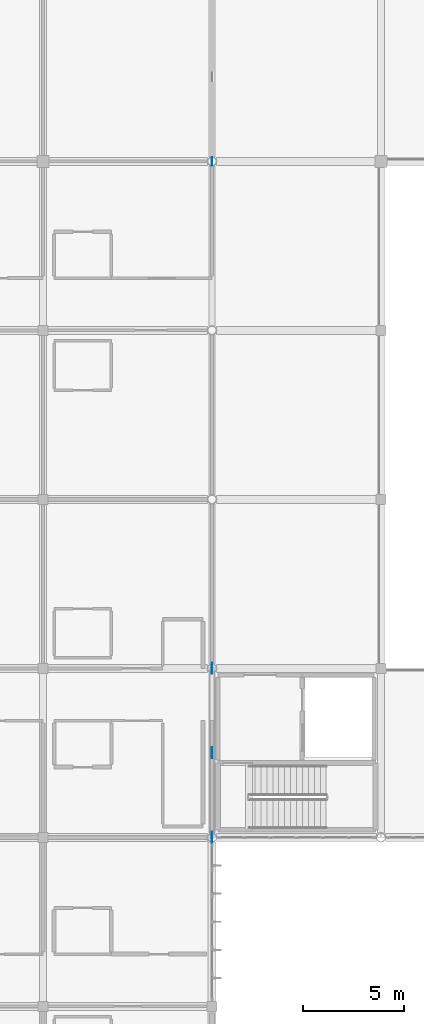
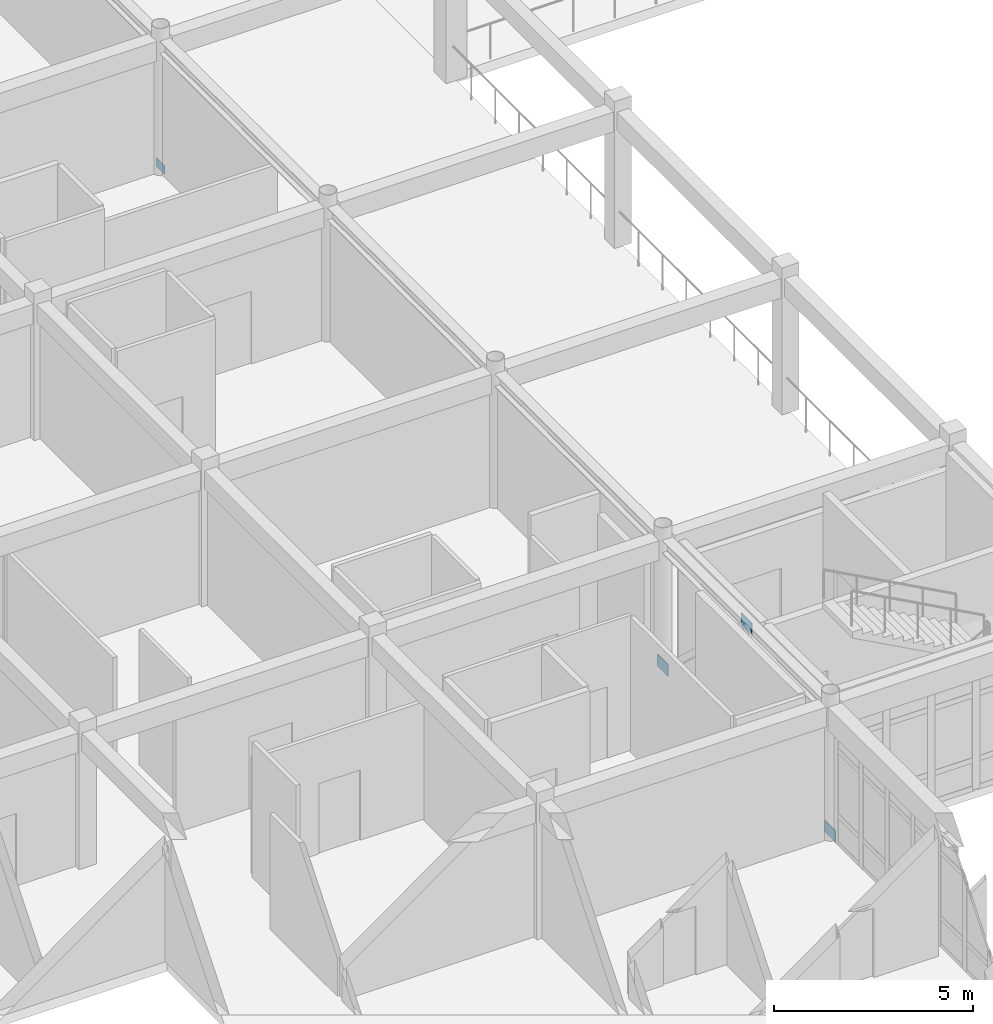
# One storey, part 91 of 144: 4 plates.
"""IFC4 building model written with IfcOpenShell, lengths in metres."""

from ifc_helpers import new_model, si_unit, direction, frame, origin, origin_2d, place, context, subcontext, project, spatial, rectangle, extrude, material, layer, layer_set, type_object, element, save


model = new_model("IFC4")

# Units and contexts
model_context = context("Model", 3, precision=1e-05, world=origin(), true_north=direction((0.0, 1.0)))
body_context = subcontext(model_context, "Body", "Model", "MODEL_VIEW")
ifc_project = project(units=[si_unit("LENGTHUNIT", "METRE"), si_unit("AREAUNIT", "SQUARE_METRE"), si_unit("VOLUMEUNIT", "CUBIC_METRE"), si_unit("PLANEANGLEUNIT", "RADIAN"), si_unit("MASSUNIT", "GRAM", prefix="KILO")], contexts=[model_context])

# Site, building, storey
site_placement = place(None, origin())
site = spatial("IfcSite", under=ifc_project, at=site_placement, CompositionType="ELEMENT")
building_placement = place(site_placement, origin())
building = spatial("IfcBuilding", under=site, at=building_placement, Name="Bramfleet General Hospital", CompositionType="ELEMENT")
storey_placement = place(building_placement, frame((0.0, 0.0, 4.800048828125)))
storey = spatial("IfcBuildingStorey", under=building, at=storey_placement, Name="L01", CompositionType="ELEMENT", Elevation=4.800048828125)

# Plates
ifc_material = material(Name="Steel S355", Category="steel")
ifc_layer_1 = layer(ifc_material, 0.01611328125, Name="PL-GP-420")
ifc_layer_set_1 = layer_set([ifc_layer_1], Name="Steel S355")
plate_type_1 = type_object("IfcPlateType", Name="PL-GP-420", PredefinedType="USERDEFINED", material=ifc_layer_set_1)
plate_placement = place(storey_placement, frame((50.39990234375, 50.39990234375, 0.0), z_axis=(0.0, 0.0, 1.0), x_axis=(1.0, 0.0, 0.0)))
element("IfcPlate", 1, at=plate_placement, inside=storey, type_object=plate_type_1, Name="L01 Brace Foot Gusset Plate 12A", ObjectType="Gusset plate", PredefinedType="USERDEFINED", context=body_context, shape_type="SweptSolid", body=[
    extrude(rectangle(XDim=0.01611328125, YDim=0.419921875, at=origin_2d()), origin(), (0.0, 0.0, 1.0), 0.280029296875),
])
ifc_layer_2 = layer(ifc_material, 0.02001953125, Name="PL-GP-540")
ifc_layer_set_2 = layer_set([ifc_layer_2], Name="Steel S355")
plate_type_2 = type_object("IfcPlateType", Name="PL-GP-540", PredefinedType="USERDEFINED", material=ifc_layer_set_2)
for number, where, z_axis, x_axis, name in (
    (2, (50.39990234375, 21.0, 3.77001953125), (0.0, 0.0, 1.0), (1.0, 0.0, 0.0), "L01 Chevron Gusset Plate 2"),
    (3, (50.39990234375, 16.800048828125, -0.0400390625), (0.0, 0.0, 1.0), (1.0, 0.0, 0.0), "L01 Brace Foot Gusset Plate 2A"),
    (4, (50.39990234375, 25.199951171875, -0.0400390625), (0.0, 0.0, 1.0), (1.0, 0.0, 0.0), "L01 Brace Foot Gusset Plate 2B"),
):
    element("IfcPlate", number, at=place(storey_placement, frame(where, z_axis=z_axis, x_axis=x_axis)), inside=storey, type_object=plate_type_2, Name=name, ObjectType="Gusset plate", PredefinedType="USERDEFINED", context=body_context, shape_type="SweptSolid", body=[
        extrude(rectangle(XDim=0.02001953125, YDim=0.5400390625, at=origin_2d()), origin(), (0.0, 0.0, 1.0), 0.360107421875),
    ])

save(model, "model.ifc")
